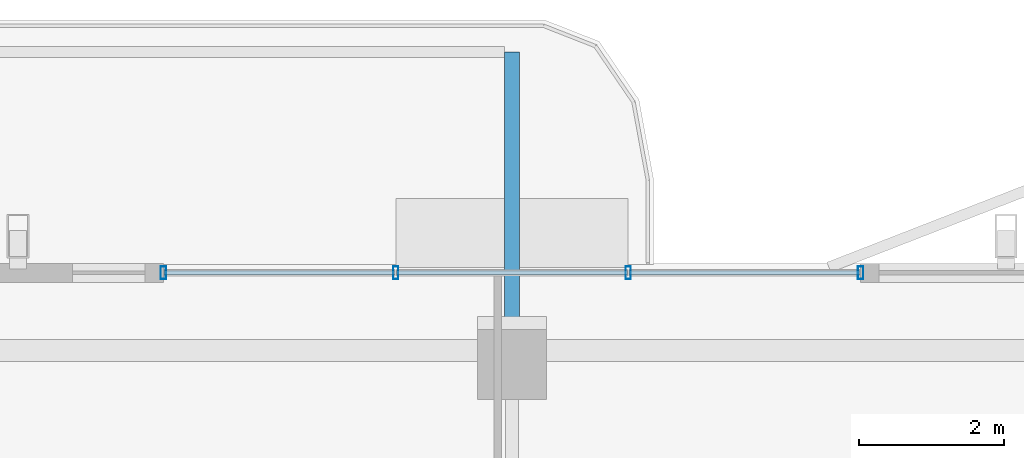
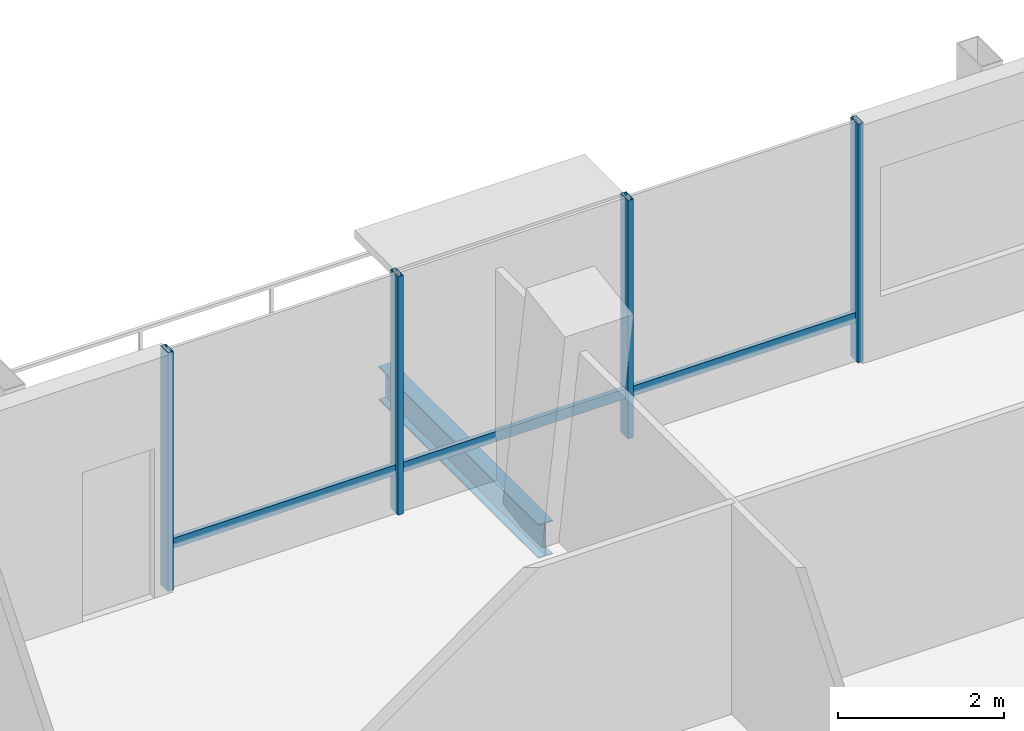
# One storey, part 11 of 20: 7 members, 1 beam, 1 element without a shape of its own.
"""IFC4 building model written with IfcOpenShell, lengths in metres."""

import ifcopenshell
import ifcopenshell.guid

model = None  # the IFC model being written
_history = None  # IfcOwnerHistory: only IFC2X3 demands one
_inside = {}  # id of a spatial element -> (the spatial element, [elements in it])
_under = {}  # id of a project, library or spatial element -> (it, [spatial elements below it])
_declared = {}  # id of a project -> (the project, [libraries it declares])
_typed = {}  # id of a type object -> (the type object, [elements of that type])
_made_of = {}  # id of a material, layer set ... -> (it, [elements and type objects made of it])


def new_model(schema):
    """Start an empty IFC model of exactly this schema.

    Asked for "IFC4X3", IfcOpenShell would pick the latest addendum, in which some entities
    have other attributes; the version numbers below select the first issue.
    IFC2X3 requires an IfcOwnerHistory on every rooted entity: one is made here for all.
    """
    global model, _history
    if schema == "IFC4X3":
        model = ifcopenshell.file(schema_version=(4, 3, 0, 0))
    else:
        model = ifcopenshell.file(schema=schema)
    _inside.clear()
    _under.clear()
    _declared.clear()
    _typed.clear()
    _made_of.clear()
    _history = None
    if model.schema == "IFC2X3":
        org = make("IfcOrganization", Name="unknown")
        user = make(
            "IfcPersonAndOrganization",
            ThePerson=make("IfcPerson", FamilyName="unknown"),
            TheOrganization=org,
        )
        app = make(
            "IfcApplication",
            ApplicationDeveloper=org,
            Version="unknown",
            ApplicationFullName="unknown",
            ApplicationIdentifier="unknown",
        )
        _history = make(
            "IfcOwnerHistory",
            OwningUser=user,
            OwningApplication=app,
            ChangeAction="ADDED",
            CreationDate=0,
        )
    return model


def make(cls, **values):
    """One entity of the class cls with the attributes given. An attribute that is None is left unset."""
    return model.create_entity(
        cls, **{name: value for name, value in values.items() if value is not None}
    )


def rooted(cls, **values):
    """An entity with a GlobalId (a new one), such as an element, a storey or a relation."""
    return make(cls, GlobalId=ifcopenshell.guid.new(), OwnerHistory=_history, **values)


def si_unit(unit_type, name, prefix=None):
    """IfcSIUnit, for example si_unit("LENGTHUNIT", "METRE", prefix="MILLI")."""
    return make("IfcSIUnit", UnitType=unit_type, Prefix=prefix, Name=name)


def assignment(units):
    """IfcUnitAssignment: the units of a project."""
    return None if units is None else make("IfcUnitAssignment", Units=units)


def point(xyz):
    """IfcCartesianPoint."""
    return None if xyz is None else make("IfcCartesianPoint", Coordinates=xyz)


def direction(xyz):
    """IfcDirection."""
    return None if xyz is None else make("IfcDirection", DirectionRatios=xyz)


def frame(location, z_axis=None, x_axis=None):
    """IfcAxis2Placement3D, a coordinate frame: its origin and axes. An axis left out is left unset."""
    return make(
        "IfcAxis2Placement3D",
        Location=point(location),
        Axis=direction(z_axis),
        RefDirection=direction(x_axis),
    )


def frame_2d(location, x_axis=None):
    """IfcAxis2Placement2D, a coordinate frame in the plane: its origin and x axis."""
    return make(
        "IfcAxis2Placement2D", Location=point(location), RefDirection=direction(x_axis)
    )


def origin():
    """The frame at (0, 0, 0) with its axes left unset."""
    return frame((0.0, 0.0, 0.0))


def origin_2d():
    """The frame at (0, 0) in the plane with its x axis left unset."""
    return frame_2d((0.0, 0.0))


def place(relative_to, where):
    """IfcLocalPlacement: puts the frame where relative to a parent placement (None: the world)."""
    return make(
        "IfcLocalPlacement", PlacementRelTo=relative_to, RelativePlacement=where
    )


def context(
    kind, dimensions, precision=None, world=None, true_north=None, identifier=None
):
    """IfcGeometricRepresentationContext, for example the 3D "Model" context."""
    return make(
        "IfcGeometricRepresentationContext",
        ContextIdentifier=identifier,
        ContextType=kind,
        CoordinateSpaceDimension=dimensions,
        Precision=precision,
        WorldCoordinateSystem=world,
        TrueNorth=true_north,
    )


def subcontext(parent, identifier, kind, view, scale=None):
    """IfcGeometricRepresentationSubContext, for example "Body" below "Model"."""
    return make(
        "IfcGeometricRepresentationSubContext",
        ContextIdentifier=identifier,
        ContextType=kind,
        ParentContext=parent,
        TargetScale=scale,
        TargetView=view,
    )


def project(units=None, contexts=None):
    """IfcProject with its units and contexts."""
    return rooted(
        "IfcProject",
        Name="project",
        RepresentationContexts=contexts,
        UnitsInContext=assignment(units),
    )


def spatial(cls, under=None, at=None, **own):
    """A site, building, storey or space (cls), placed at a placement, below another one or the project."""
    s = rooted(cls, ObjectPlacement=at, **own)
    if under is not None:
        _under.setdefault(under.id(), (under, []))[1].append(s)
    return s


def profile(cls, at=None, kind="AREA", **sizes):
    """A parametric profile (cls). Its sizes go by their IFC names, for example OverallWidth=200.0."""
    return make(cls, ProfileType=kind, Position=at, **sizes)


def hollow_rectangle(**sizes):
    """IfcRectangleHollowProfileDef."""
    return profile("IfcRectangleHollowProfileDef", **sizes)


def i_section(**sizes):
    """IfcIShapeProfileDef."""
    return profile("IfcIShapeProfileDef", **sizes)


def extrude(swept, where, along, depth):
    """IfcExtrudedAreaSolid: the profile swept, set in the frame where, extruded along a direction by depth."""
    return make(
        "IfcExtrudedAreaSolid",
        SweptArea=swept,
        Position=where,
        ExtrudedDirection=direction(along),
        Depth=depth,
    )


def shape(context_of_items, identifier, shape_type, items):
    """IfcShapeRepresentation: the items that make up one representation, for example the "Body"."""
    return make(
        "IfcShapeRepresentation",
        ContextOfItems=context_of_items,
        RepresentationIdentifier=identifier,
        RepresentationType=shape_type,
        Items=items,
    )


def material(Name=None, Category=None):
    """IfcMaterial."""
    return make("IfcMaterial", Name=Name, Category=Category)


def layer(
    of_material, thickness, ventilated=None, Name=None, Category=None, Priority=None
):
    """IfcMaterialLayer: one layer of a wall or slab, of a material (None: an air gap)."""
    return make(
        "IfcMaterialLayer",
        Material=of_material,
        LayerThickness=thickness,
        IsVentilated=ventilated,
        Name=Name,
        Category=Category,
        Priority=Priority,
    )


def layer_set(layers, Name=None):
    """IfcMaterialLayerSet."""
    return make("IfcMaterialLayerSet", MaterialLayers=layers, LayerSetName=Name)


def material_profile(
    of_material, cross_section, Name=None, Category=None, Priority=None
):
    """IfcMaterialProfile: a cross section and its material."""
    return make(
        "IfcMaterialProfile",
        Name=Name,
        Material=of_material,
        Profile=cross_section,
        Priority=Priority,
        Category=Category,
    )


def profile_set(profiles, Name=None, composite=None):
    """IfcMaterialProfileSet."""
    return make(
        "IfcMaterialProfileSet",
        Name=Name,
        MaterialProfiles=profiles,
        CompositeProfile=composite,
    )


def made_of(thing, what):
    """Note that an element or type object is made of a material, layer set ...; save() writes the relation."""
    if what is not None:
        _made_of.setdefault(what.id(), (what, []))[1].append(thing)
    return thing


def type_object(cls, material=None, **own):
    """A type object (cls), such as IfcWallType, which elements share."""
    return made_of(rooted(cls, **own), material)


def element(
    cls,
    number,
    at=None,
    inside=None,
    cuts=None,
    type_object=None,
    material=None,
    context=None,
    identifier="Body",
    shape_type=None,
    held_by="IfcProductDefinitionShape",
    body=None,
    shapes=None,
    **own,
):
    """One element of the class cls, such as IfcWall. Its Tag is "e" and its number.

    at: its placement. inside: the storey or other place that contains it. cuts: it is an
    opening in that element (IfcRelVoidsElement). A single representation is given by context,
    identifier, shape_type and body (its items); several are given by shapes. held_by: the class
    of the entity that holds the representations. save() writes the other relations.
    """
    e = rooted(cls, Tag="e%d" % number, ObjectPlacement=at, **own)
    if body is not None:
        shapes = [shape(context, identifier, shape_type, body)]
    if shapes is not None:
        e.Representation = make(held_by, Representations=shapes)
    if inside is not None:
        _inside.setdefault(inside.id(), (inside, []))[1].append(e)
    if cuts is not None:
        rooted(
            "IfcRelVoidsElement", RelatingBuildingElement=cuts, RelatedOpeningElement=e
        )
    if type_object is not None:
        _typed.setdefault(type_object.id(), (type_object, []))[1].append(e)
    return made_of(e, material)


def aggregate(whole, parts):
    """IfcRelAggregates: a whole, such as a stair, and the parts it consists of."""
    return rooted("IfcRelAggregates", RelatingObject=whole, RelatedObjects=parts)


def save(model, path):
    """Write the relations noted so far, then the file.

    IfcRelAggregates (storeys below a building ...), IfcRelContainedInSpatialStructure (elements
    in a storey), IfcRelDefinesByType, IfcRelAssociatesMaterial and IfcRelDeclares: one each for
    every whole, place, type object, material and project.
    """
    for whole, parts in _under.values():
        aggregate(whole, parts)
    for where, things in _inside.values():
        rooted(
            "IfcRelContainedInSpatialStructure",
            RelatedElements=things,
            RelatingStructure=where,
        )
    for kind, things in _typed.values():
        rooted("IfcRelDefinesByType", RelatedObjects=things, RelatingType=kind)
    for what, things in _made_of.values():
        rooted("IfcRelAssociatesMaterial", RelatedObjects=things, RelatingMaterial=what)
    for by, libraries in _declared.values():
        rooted("IfcRelDeclares", RelatingContext=by, RelatedDefinitions=libraries)
    model.write(path)


model = new_model("IFC4")

# Units and contexts
model_context = context("Model", 3, precision=1e-05, world=origin(), true_north=direction((0.0, 1.0)))
body_context = subcontext(model_context, "Body", "Model", "MODEL_VIEW")
ifc_project = project(units=[si_unit("LENGTHUNIT", "METRE"), si_unit("AREAUNIT", "SQUARE_METRE"), si_unit("VOLUMEUNIT", "CUBIC_METRE"), si_unit("PLANEANGLEUNIT", "RADIAN"), si_unit("MASSUNIT", "GRAM", prefix="KILO")], contexts=[model_context])

# Site, building, storey
site_placement = place(None, origin())
site = spatial("IfcSite", under=ifc_project, at=site_placement, CompositionType="ELEMENT")
building_placement = place(site_placement, origin())
building = spatial("IfcBuilding", under=site, at=building_placement, Name="Belovzor Exchange Tower", CompositionType="ELEMENT")
storey_placement = place(building_placement, frame((0.0, 0.0, 329.25)))
storey = spatial("IfcBuildingStorey", under=building, at=storey_placement, Name="L82", CompositionType="ELEMENT", Elevation=329.25)

# Beam
ifc_material_1 = material(Name="Steel S355", Category="steel")
ifc_material_profile_1 = material_profile(ifc_material_1, i_section(OverallWidth=0.199951171875, OverallDepth=0.5, WebThickness=0.01025390625, FlangeThickness=0.01611328125, at=origin_2d()))
ifc_profile_set_1 = profile_set([ifc_material_profile_1], Name="Steel S355")
beam_type = type_object("IfcBeamType", Name="Planted Balcony Cantilever Beam IPE 500", PredefinedType="BEAM", material=ifc_profile_set_1)
beam_placement = place(storey_placement, frame((28.800048828125, 50.660888671875, -0.489990234375), z_axis=(0.0, 1.0, 0.0), x_axis=(-1.0, 0.0, 0.0)))
element("IfcBeam", 1, at=beam_placement, inside=storey, type_object=beam_type, Name="BC-500 Planted Balcony Cantilever Beam IPE 500", PredefinedType="BEAM", context=body_context, shape_type="SweptSolid", body=[
    extrude(i_section(OverallWidth=0.199951171875, OverallDepth=0.5, WebThickness=0.01025390625, FlangeThickness=0.01611328125, at=origin_2d()), origin(), (0.0, 0.0, 1.0), 3.85009765625),
])

# Curtain wall, members
ifc_material_2 = material(Name="Anodised Aluminium Framing", Category="aluminium")
ifc_layer = layer(ifc_material_2, 0.179931640625)
ifc_layer_set = layer_set([ifc_layer], Name="Anodised Aluminium Framing")
curtain_wall_type = type_object("IfcCurtainWallType", Name="Recessed Loggia Low-Iron Triple-Glazed Curtain Wall", PredefinedType="NOTDEFINED", material=ifc_layer_set)
curtain_wall_placement = place(storey_placement, origin())
curtain_wall = element("IfcCurtainWall", 2, at=curtain_wall_placement, inside=storey, type_object=curtain_wall_type, Name="CW3 Recessed Loggia Low-Iron Triple-Glazed Curtain Wall L82", PredefinedType="NOTDEFINED")
ifc_material_3 = material(Name="Steel S355", Category="steel")
ifc_material_profile_2 = material_profile(ifc_material_3, hollow_rectangle(XDim=0.074951171875, YDim=0.179931640625, WallThickness=0.0048828125, at=origin_2d()))
ifc_profile_set_2 = profile_set([ifc_material_profile_2], Name="Steel S355")
member_type_1 = type_object("IfcMemberType", Name="Thermally Broken Curtain Wall Mullion 180x75", PredefinedType="MULLION", material=ifc_profile_set_2)
member_1_placement = place(storey_placement, frame((24.0, 51.469970703125, 0.0), z_axis=(0.0, 0.0, 1.0), x_axis=(1.0, 0.0, 0.0)))
member_1 = element("IfcMember", 3, at=member_1_placement, type_object=member_type_1, Name="CW-M180 Curtain Wall Mullion 1", PredefinedType="MULLION", context=body_context, shape_type="SweptSolid", body=[
    extrude(hollow_rectangle(XDim=0.074951171875, YDim=0.179931640625, WallThickness=0.0048828125, at=origin_2d()), origin(), (0.0, 0.0, 1.0), 3.510009765625),
])
member_2_placement = place(storey_placement, frame((27.199951171875, 51.469970703125, 0.0), z_axis=(0.0, 0.0, 1.0), x_axis=(1.0, 0.0, 0.0)))
member_2 = element("IfcMember", 4, at=member_2_placement, type_object=member_type_1, Name="CW-M180 Curtain Wall Mullion 2", PredefinedType="MULLION", context=body_context, shape_type="SweptSolid", body=[
    extrude(hollow_rectangle(XDim=0.074951171875, YDim=0.179931640625, WallThickness=0.0048828125, at=origin_2d()), origin(), (0.0, 0.0, 1.0), 3.510009765625),
])
member_3_placement = place(storey_placement, frame((30.39990234375, 51.469970703125, 0.0), z_axis=(0.0, 0.0, 1.0), x_axis=(1.0, 0.0, 0.0)))
member_3 = element("IfcMember", 5, at=member_3_placement, type_object=member_type_1, Name="CW-M180 Curtain Wall Mullion 3", PredefinedType="MULLION", context=body_context, shape_type="SweptSolid", body=[
    extrude(hollow_rectangle(XDim=0.074951171875, YDim=0.179931640625, WallThickness=0.0048828125, at=origin_2d()), origin(), (0.0, 0.0, 1.0), 3.510009765625),
])
member_4_placement = place(storey_placement, frame((33.60009765625, 51.469970703125, 0.0), z_axis=(0.0, 0.0, 1.0), x_axis=(1.0, 0.0, 0.0)))
member_4 = element("IfcMember", 6, at=member_4_placement, type_object=member_type_1, Name="CW-M180 Curtain Wall Mullion 4", PredefinedType="MULLION", context=body_context, shape_type="SweptSolid", body=[
    extrude(hollow_rectangle(XDim=0.074951171875, YDim=0.179931640625, WallThickness=0.0048828125, at=origin_2d()), origin(), (0.0, 0.0, 1.0), 3.510009765625),
])
ifc_material_4 = material(Name="Steel S355", Category="steel")
ifc_material_profile_3 = material_profile(ifc_material_4, hollow_rectangle(XDim=0.06005859375, YDim=0.14990234375, WallThickness=0.00390625, at=origin_2d()))
ifc_profile_set_3 = profile_set([ifc_material_profile_3], Name="Steel S355")
member_type_2 = type_object("IfcMemberType", Name="Thermally Broken Curtain Wall Transom 150x60", PredefinedType="USERDEFINED", material=ifc_profile_set_3)
member_5_placement = place(storey_placement, frame((24.008056640625, 51.469970703125, 0.632080078125), z_axis=(1.0, 0.0, 0.0), x_axis=(0.0, 1.0, 0.0)))
member_5 = element("IfcMember", 7, at=member_5_placement, type_object=member_type_2, Name="CW-T150 Curtain Wall Transom 1", ObjectType="TRANSOM", PredefinedType="USERDEFINED", context=body_context, shape_type="SweptSolid", body=[
    extrude(hollow_rectangle(XDim=0.06005859375, YDim=0.14990234375, WallThickness=0.00390625, at=origin_2d()), origin(), (0.0, 0.0, 1.0), 3.183837890625),
])
member_6_placement = place(storey_placement, frame((27.2080078125, 51.469970703125, 0.632080078125), z_axis=(1.0, 0.0, 0.0), x_axis=(0.0, 1.0, 0.0)))
member_6 = element("IfcMember", 8, at=member_6_placement, type_object=member_type_2, Name="CW-T150 Curtain Wall Transom 2", ObjectType="TRANSOM", PredefinedType="USERDEFINED", context=body_context, shape_type="SweptSolid", body=[
    extrude(hollow_rectangle(XDim=0.06005859375, YDim=0.14990234375, WallThickness=0.00390625, at=origin_2d()), origin(), (0.0, 0.0, 1.0), 3.18408203125),
])
member_7_placement = place(storey_placement, frame((30.407958984375, 51.469970703125, 0.632080078125), z_axis=(1.0, 0.0, 0.0), x_axis=(0.0, 1.0, 0.0)))
member_7 = element("IfcMember", 9, at=member_7_placement, type_object=member_type_2, Name="CW-T150 Curtain Wall Transom 3", ObjectType="TRANSOM", PredefinedType="USERDEFINED", context=body_context, shape_type="SweptSolid", body=[
    extrude(hollow_rectangle(XDim=0.06005859375, YDim=0.14990234375, WallThickness=0.00390625, at=origin_2d()), origin(), (0.0, 0.0, 1.0), 3.18408203125),
])
aggregate(curtain_wall, [member_1, member_2, member_3, member_4, member_5, member_6, member_7])

save(model, "model.ifc")
